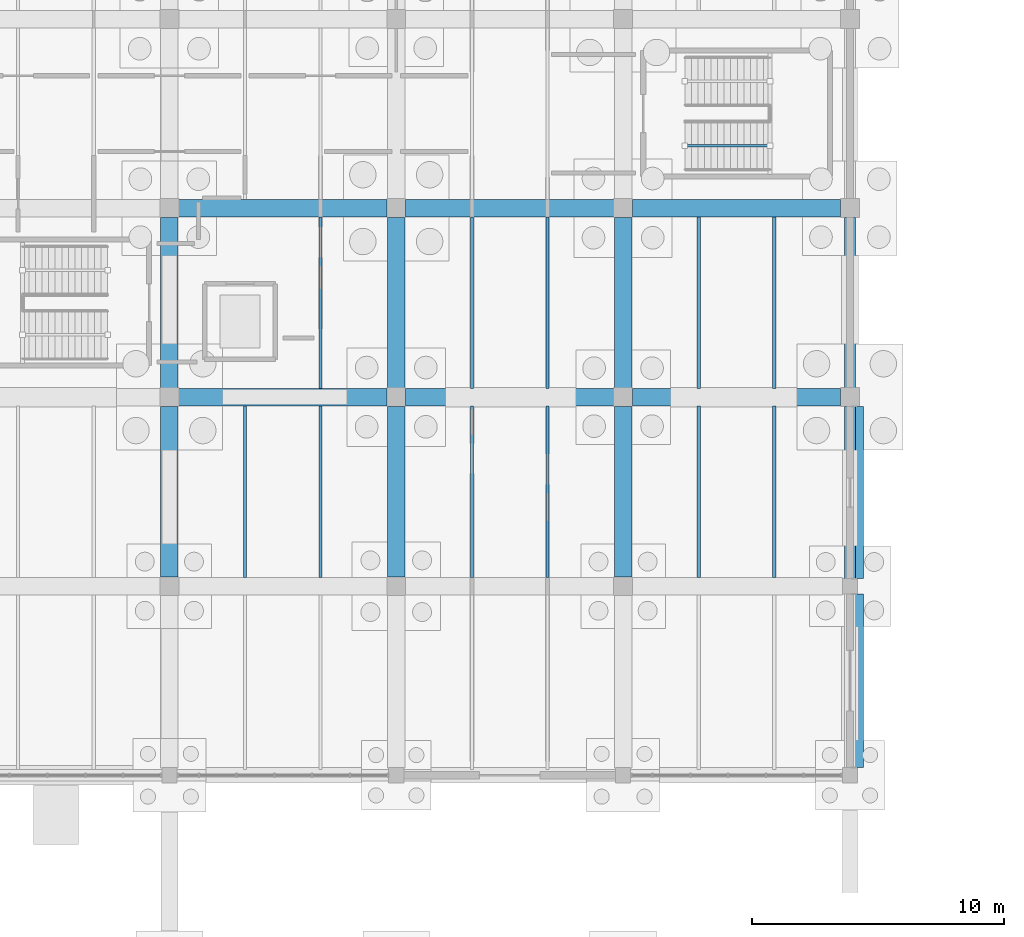
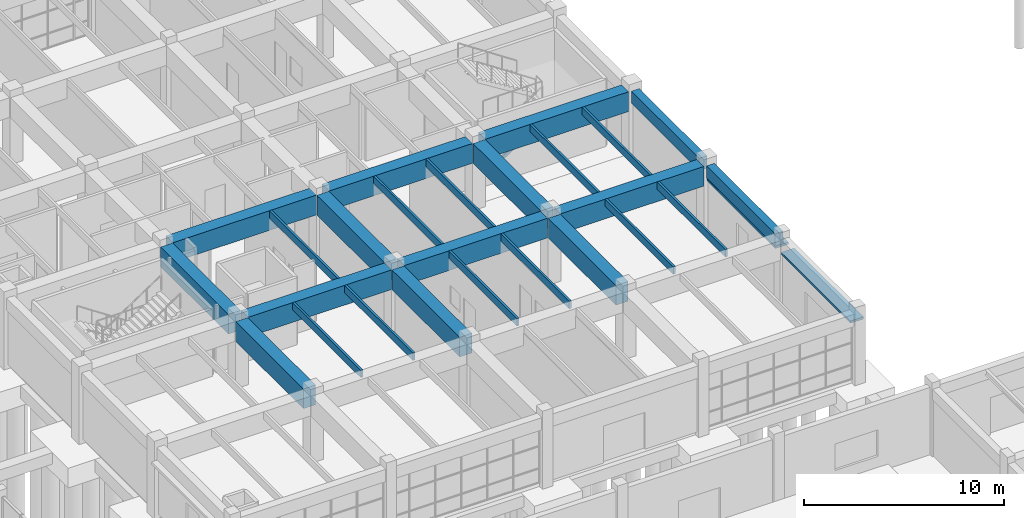
# One storey, part 26 of 93: 25 beams, 3 members.
"""IFC4 building model written with IfcOpenShell, lengths in metres."""

from ifc_helpers import new_model, si_unit, direction, frame, origin, origin_2d, place, context, subcontext, project, spatial, rectangle, hollow_rectangle, extrude, material, material_profile, profile_set, type_object, element, save


model = new_model("IFC4")

# Units and contexts
model_context = context("Model", 3, precision=1e-05, world=origin(), true_north=direction((0.0, 1.0)))
body_context = subcontext(model_context, "Body", "Model", "MODEL_VIEW")
ifc_project = project(units=[si_unit("LENGTHUNIT", "METRE"), si_unit("AREAUNIT", "SQUARE_METRE"), si_unit("VOLUMEUNIT", "CUBIC_METRE"), si_unit("PLANEANGLEUNIT", "RADIAN"), si_unit("MASSUNIT", "GRAM", prefix="KILO")], contexts=[model_context])

# Site, building, storey
site_placement = place(None, origin())
site = spatial("IfcSite", under=ifc_project, at=site_placement, CompositionType="ELEMENT")
building_placement = place(site_placement, origin())
building = spatial("IfcBuilding", under=site, at=building_placement, Name="Marnridge Secondary College", CompositionType="ELEMENT")
storey_placement = place(building_placement, origin())
storey = spatial("IfcBuildingStorey", under=building, at=storey_placement, Name="L00", CompositionType="ELEMENT", Elevation=0.0)

# Beams
ifc_material_1 = material(Name="Engineered timber LVL E13.2", Category="wood")
ifc_material_profile_1 = material_profile(ifc_material_1, rectangle(XDim=0.1259765625, YDim=0.449951171875, at=origin_2d()), Name="LVL 126x450")
ifc_profile_set_1 = profile_set([ifc_material_profile_1], Name="Engineered timber LVL E13.2")
beam_type_1 = type_object("IfcBeamType", Name="BM-LVL450-INT", PredefinedType="JOIST", material=ifc_profile_set_1)
for number, where, z_axis, x_axis, name in (
    (1, (66.0, 45.343994140625, 3.85498046875), (0.0, 1.0, 0.0), (-1.0, 0.0, 0.0), "Beam BJ-L00-0105"),
    (2, (69.0, 45.343994140625, 3.85498046875), (0.0, 1.0, 0.0), (-1.0, 0.0, 0.0), "Beam BJ-L00-0106"),
    (3, (69.0, 52.843994140625, 3.85498046875), (0.0, 1.0, 0.0), (-1.0, 0.0, 0.0), "Beam BJ-L00-0107"),
    (4, (75.0, 45.343994140625, 3.85498046875), (0.0, 1.0, 0.0), (-1.0, 0.0, 0.0), "Beam BJ-L00-0116"),
    (5, (78.0, 45.343994140625, 3.85498046875), (0.0, 1.0, 0.0), (-1.0, 0.0, 0.0), "Beam BJ-L00-0117"),
    (6, (75.0, 52.843994140625, 3.85498046875), (0.0, 1.0, 0.0), (-1.0, 0.0, 0.0), "Beam BJ-L00-0118"),
    (7, (78.0, 52.843994140625, 3.85498046875), (0.0, 1.0, 0.0), (-1.0, 0.0, 0.0), "Beam BJ-L00-0119"),
    (8, (84.0, 45.343994140625, 3.85498046875), (0.0, 1.0, 0.0), (-1.0, 0.0, 0.0), "Beam BJ-L00-0128"),
    (9, (87.0, 45.343994140625, 3.85498046875), (0.0, 1.0, 0.0), (-1.0, 0.0, 0.0), "Beam BJ-L00-0129"),
    (10, (84.0, 52.843994140625, 3.85498046875), (0.0, 1.0, 0.0), (-1.0, 0.0, 0.0), "Beam BJ-L00-0130"),
    (11, (87.0, 52.843994140625, 3.85498046875), (0.0, 1.0, 0.0), (-1.0, 0.0, 0.0), "Beam BJ-L00-0131"),
):
    element("IfcBeam", number, at=place(storey_placement, frame(where, z_axis=z_axis, x_axis=x_axis)), inside=storey, type_object=beam_type_1, Name=name, PredefinedType="JOIST", context=body_context, shape_type="SweptSolid", body=[
        extrude(rectangle(XDim=0.1259765625, YDim=0.449951171875, at=origin_2d()), origin(), (0.0, 0.0, 1.0), 6.81201171875),
    ])
ifc_material_2 = material(Name="Concrete C40/50 (AS 3600 N40, 40 MPa)", Category="concrete")
ifc_material_profile_2 = material_profile(ifc_material_2, rectangle(XDim=0.449951171875, YDim=0.75, at=origin_2d()), Name="RC 450x750")
ifc_profile_set_2 = profile_set([ifc_material_profile_2], Name="Concrete C40/50 (AS 3600 N40, 40 MPa)")
beam_type_2 = type_object("IfcBeamType", Name="BM-RC4575-EXT", PredefinedType="SPANDREL", material=ifc_profile_set_2)
beam_1_placement = place(storey_placement, frame((90.0, 45.2939453125, 3.705078125), z_axis=(0.0, 1.0, 0.0), x_axis=(-1.0, 0.0, 0.0)))
element("IfcBeam", 12, at=beam_1_placement, inside=storey, type_object=beam_type_2, Name="Beam BS-L00-0084", PredefinedType="SPANDREL", context=body_context, shape_type="SweptSolid", body=[
    extrude(rectangle(XDim=0.449951171875, YDim=0.75, at=origin_2d()), origin(), (0.0, 0.0, 1.0), 6.837158203125),
])
beam_2_placement = place(storey_placement, frame((90.0, 52.868896484375, 3.705078125), z_axis=(0.0, 1.0, 0.0), x_axis=(-1.0, 0.0, 0.0)))
element("IfcBeam", 13, at=beam_2_placement, inside=storey, type_object=beam_type_2, Name="Beam BS-L00-0086", PredefinedType="SPANDREL", context=body_context, shape_type="SweptSolid", body=[
    extrude(rectangle(XDim=0.449951171875, YDim=0.75, at=origin_2d()), origin(), (0.0, 0.0, 1.0), 6.76220703125),
])
ifc_material_3 = material(Name="Concrete C50/60 (AS 3600 N50, 50 MPa)", Category="concrete")
ifc_material_profile_3 = material_profile(ifc_material_3, rectangle(XDim=0.699951171875, YDim=1.199951171875, at=origin_2d()), Name="RC 700x1200")
ifc_profile_set_3 = profile_set([ifc_material_profile_3], Name="Concrete C50/60 (AS 3600 N50, 50 MPa)")
beam_type_3 = type_object("IfcBeamType", Name="BM-RC7012-INT", PredefinedType="BEAM", material=ifc_profile_set_3)
for number, where, z_axis, x_axis, name in (
    (14, (63.0, 45.368896484375, 3.47998046875), (0.0, 1.0, 0.0), (-1.0, 0.0, 0.0), "Beam B-L00-0041"),
    (15, (63.0, 52.868896484375, 3.47998046875), (0.0, 1.0, 0.0), (-1.0, 0.0, 0.0), "Beam B-L00-0044"),
):
    element("IfcBeam", number, at=place(storey_placement, frame(where, z_axis=z_axis, x_axis=x_axis)), inside=storey, type_object=beam_type_3, Name=name, PredefinedType="BEAM", context=body_context, shape_type="SweptSolid", body=[
        extrude(rectangle(XDim=0.699951171875, YDim=1.199951171875, at=origin_2d()), origin(), (0.0, 0.0, 1.0), 6.76220703125),
    ])
beam_3_placement = place(storey_placement, frame((63.368896484375, 52.5, 3.47998046875), z_axis=(1.0, 0.0, 0.0), x_axis=(0.0, 1.0, 0.0)))
element("IfcBeam", 16, at=beam_3_placement, inside=storey, type_object=beam_type_3, Name="Beam B-L00-0057", PredefinedType="BEAM", context=body_context, shape_type="SweptSolid", body=[
    extrude(rectangle(XDim=0.699951171875, YDim=1.199951171875, at=origin_2d()), origin(), (0.0, 0.0, 1.0), 8.26220703125),
])
beam_4_placement = place(storey_placement, frame((72.0, 45.368896484375, 3.47998046875), z_axis=(0.0, 1.0, 0.0), x_axis=(-1.0, 0.0, 0.0)))
element("IfcBeam", 17, at=beam_4_placement, inside=storey, type_object=beam_type_3, Name="Beam B-L00-0058", PredefinedType="BEAM", context=body_context, shape_type="SweptSolid", body=[
    extrude(rectangle(XDim=0.699951171875, YDim=1.199951171875, at=origin_2d()), origin(), (0.0, 0.0, 1.0), 6.76220703125),
])
beam_5_placement = place(storey_placement, frame((63.368896484375, 60.0, 3.47998046875), z_axis=(1.0, 0.0, 0.0), x_axis=(0.0, 1.0, 0.0)))
element("IfcBeam", 18, at=beam_5_placement, inside=storey, type_object=beam_type_3, Name="Beam B-L00-0059", PredefinedType="BEAM", context=body_context, shape_type="SweptSolid", body=[
    extrude(rectangle(XDim=0.699951171875, YDim=1.199951171875, at=origin_2d()), origin(), (0.0, 0.0, 1.0), 8.26220703125),
])
beam_6_placement = place(storey_placement, frame((72.0, 52.868896484375, 3.47998046875), z_axis=(0.0, 1.0, 0.0), x_axis=(-1.0, 0.0, 0.0)))
element("IfcBeam", 19, at=beam_6_placement, inside=storey, type_object=beam_type_3, Name="Beam B-L00-0060", PredefinedType="BEAM", context=body_context, shape_type="SweptSolid", body=[
    extrude(rectangle(XDim=0.699951171875, YDim=1.199951171875, at=origin_2d()), origin(), (0.0, 0.0, 1.0), 6.76220703125),
])
beam_7_placement = place(storey_placement, frame((72.368896484375, 52.5, 3.47998046875), z_axis=(1.0, 0.0, 0.0), x_axis=(0.0, 1.0, 0.0)))
element("IfcBeam", 20, at=beam_7_placement, inside=storey, type_object=beam_type_3, Name="Beam B-L00-0070", PredefinedType="BEAM", context=body_context, shape_type="SweptSolid", body=[
    extrude(rectangle(XDim=0.699951171875, YDim=1.199951171875, at=origin_2d()), origin(), (0.0, 0.0, 1.0), 8.26220703125),
])
beam_8_placement = place(storey_placement, frame((81.0, 45.368896484375, 3.47998046875), z_axis=(0.0, 1.0, 0.0), x_axis=(-1.0, 0.0, 0.0)))
element("IfcBeam", 21, at=beam_8_placement, inside=storey, type_object=beam_type_3, Name="Beam B-L00-0071", PredefinedType="BEAM", context=body_context, shape_type="SweptSolid", body=[
    extrude(rectangle(XDim=0.699951171875, YDim=1.199951171875, at=origin_2d()), origin(), (0.0, 0.0, 1.0), 6.76220703125),
])
beam_9_placement = place(storey_placement, frame((72.368896484375, 60.0, 3.47998046875), z_axis=(1.0, 0.0, 0.0), x_axis=(0.0, 1.0, 0.0)))
element("IfcBeam", 22, at=beam_9_placement, inside=storey, type_object=beam_type_3, Name="Beam B-L00-0072", PredefinedType="BEAM", context=body_context, shape_type="SweptSolid", body=[
    extrude(rectangle(XDim=0.699951171875, YDim=1.199951171875, at=origin_2d()), origin(), (0.0, 0.0, 1.0), 8.26220703125),
])
beam_10_placement = place(storey_placement, frame((81.0, 52.868896484375, 3.47998046875), z_axis=(0.0, 1.0, 0.0), x_axis=(-1.0, 0.0, 0.0)))
element("IfcBeam", 23, at=beam_10_placement, inside=storey, type_object=beam_type_3, Name="Beam B-L00-0073", PredefinedType="BEAM", context=body_context, shape_type="SweptSolid", body=[
    extrude(rectangle(XDim=0.699951171875, YDim=1.199951171875, at=origin_2d()), origin(), (0.0, 0.0, 1.0), 6.76220703125),
])
for number, where, z_axis, x_axis, name in (
    (24, (81.368896484375, 52.5, 3.47998046875), (1.0, 0.0, 0.0), (0.0, 1.0, 0.0), "Beam B-L00-0083"),
    (25, (81.368896484375, 60.0, 3.47998046875), (1.0, 0.0, 0.0), (0.0, 1.0, 0.0), "Beam B-L00-0085"),
):
    element("IfcBeam", number, at=place(storey_placement, frame(where, z_axis=z_axis, x_axis=x_axis)), inside=storey, type_object=beam_type_3, Name=name, PredefinedType="BEAM", context=body_context, shape_type="SweptSolid", body=[
        extrude(rectangle(XDim=0.699951171875, YDim=1.199951171875, at=origin_2d()), origin(), (0.0, 0.0, 1.0), 8.26220703125),
    ])

# Members
ifc_material_4 = material(Name="Precast concrete C40/50 (AS 3600 N40, 40 MPa)", Category="concrete")
ifc_material_profile_4 = material_profile(ifc_material_4, rectangle(XDim=0.139892578125, YDim=0.75, at=origin_2d()), Name="FIN PC 140x750")
ifc_profile_set_4 = profile_set([ifc_material_profile_4], Name="Precast concrete C40/50 (AS 3600 N40, 40 MPa)")
member_type_1 = type_object("IfcMemberType", Name="MB-FIN-PC750", PredefinedType="USERDEFINED", material=ifc_profile_set_4)
member_1_placement = place(storey_placement, frame((90.159912109375, 52.125, 3.241943359375), z_axis=(0.0, -1.0, 0.0), x_axis=(0.0, 0.0, 1.0)))
element("IfcMember", 26, at=member_1_placement, inside=storey, type_object=member_type_1, Name="Solar shading fin SFN-0001", ObjectType="SOLAR FIN", PredefinedType="USERDEFINED", context=body_context, shape_type="SweptSolid", body=[
    extrude(rectangle(XDim=0.139892578125, YDim=0.75, at=origin_2d()), origin(), (0.0, 0.0, 1.0), 6.824951171875),
])
member_2_placement = place(storey_placement, frame((90.159912109375, 44.699951171875, 3.241943359375), z_axis=(0.0, -1.0, 0.0), x_axis=(0.0, 0.0, 1.0)))
element("IfcMember", 27, at=member_2_placement, inside=storey, type_object=member_type_1, Name="Solar shading fin SFN-0002", ObjectType="SOLAR FIN", PredefinedType="USERDEFINED", context=body_context, shape_type="SweptSolid", body=[
    extrude(rectangle(XDim=0.139892578125, YDim=0.75, at=origin_2d()), origin(), (0.0, 0.0, 1.0), 6.89990234375),
])
ifc_material_5 = material(Name="Cold-formed steel Grade C350L0 (AS/NZS 1163, fy = 350 MPa)", Category="steel")
ifc_material_profile_5 = material_profile(ifc_material_5, hollow_rectangle(XDim=0.10009765625, YDim=0.199951171875, WallThickness=0.006103515625, at=origin_2d()), Name="200x100x6.0RHS")
ifc_profile_set_5 = profile_set([ifc_material_profile_5], Name="Cold-formed steel Grade C350L0 (AS/NZS 1163, fy = 350 MPa)")
member_type_2 = type_object("IfcMemberType", Name="MB-STR-RHS200", PredefinedType="STRINGER", material=ifc_profile_set_5)
member_3_placement = place(storey_placement, frame((83.449951171875, 62.469970703125, 0.014892578125), z_axis=(0.846349195689, 0.0, 0.532628424849), x_axis=(0.0, 1.0, 0.0)))
element("IfcMember", 28, at=member_3_placement, inside=storey, type_object=member_type_2, Name="Stair stringer STR-011", PredefinedType="STRINGER", context=body_context, shape_type="SweptSolid", body=[
    extrude(hollow_rectangle(XDim=0.10009765625, YDim=0.199951171875, WallThickness=0.006103515625, at=origin_2d()), origin(), (0.0, 0.0, 1.0), 3.99365234375),
])

save(model, "model.ifc")
